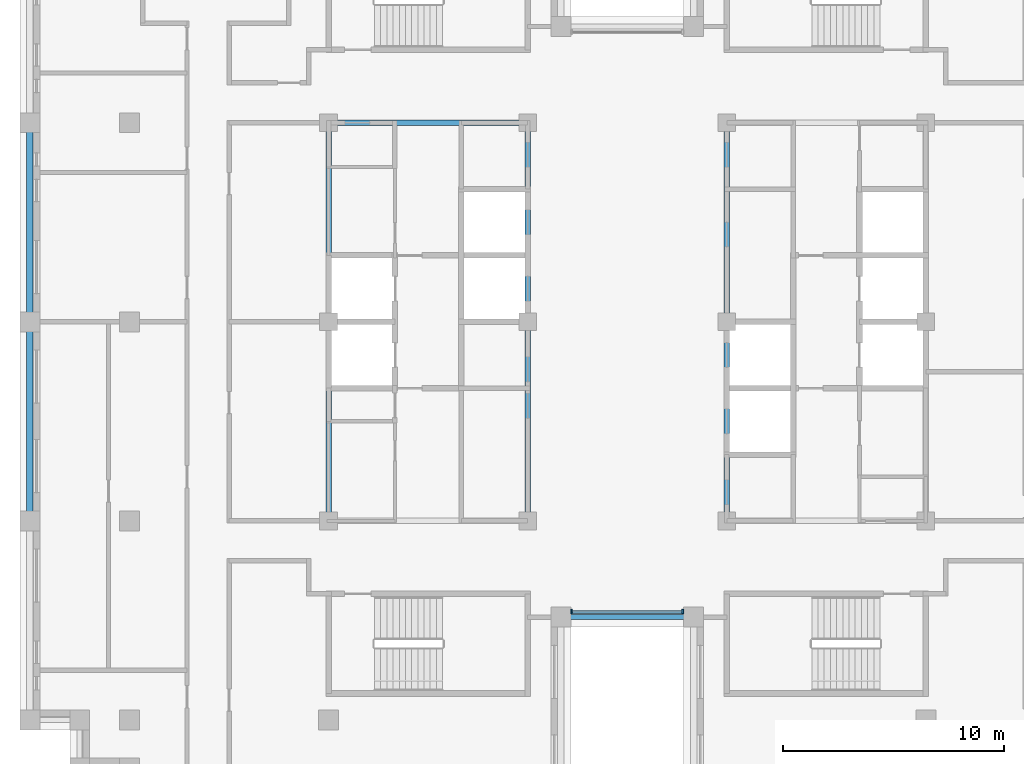
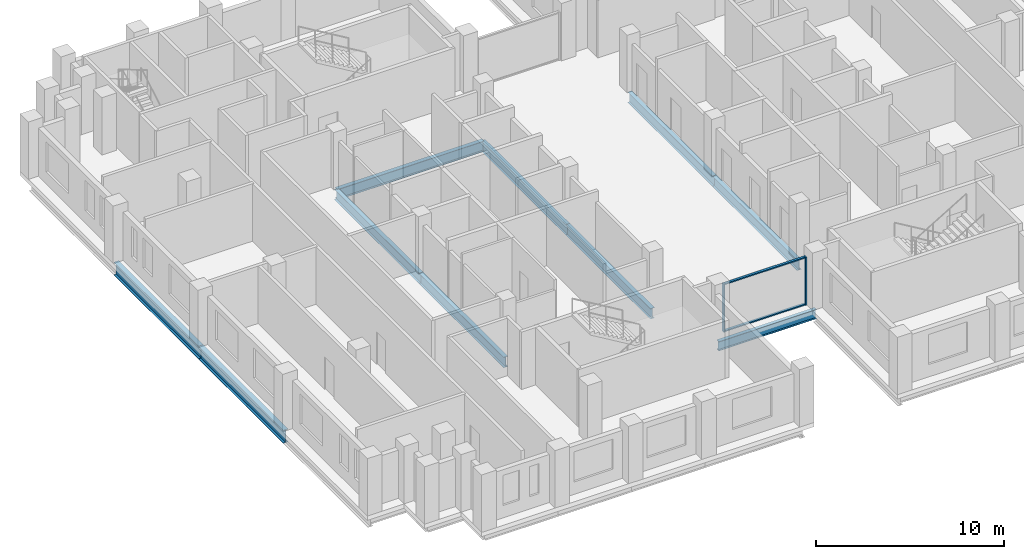
# One storey, part 2 of 13: 10 beams, 4 members, 1 element without a shape of its own.
"""IFC4 building model written with IfcOpenShell, lengths in metres."""

from ifc_helpers import new_model, si_unit, direction, frame, origin, origin_2d, place, context, subcontext, project, spatial, rectangle, i_section, extrude, material, layer, layer_set, material_profile, profile_set, type_object, element, aggregate, save


model = new_model("IFC4")

# Units and contexts
model_context = context("Model", 3, precision=1e-05, world=origin(), true_north=direction((0.0, 1.0)))
body_context = subcontext(model_context, "Body", "Model", "MODEL_VIEW")
ifc_project = project(units=[si_unit("LENGTHUNIT", "METRE"), si_unit("AREAUNIT", "SQUARE_METRE"), si_unit("VOLUMEUNIT", "CUBIC_METRE"), si_unit("PLANEANGLEUNIT", "RADIAN"), si_unit("MASSUNIT", "GRAM", prefix="KILO")], contexts=[model_context])

# Site, building, storey
site_placement = place(None, origin())
site = spatial("IfcSite", under=ifc_project, at=site_placement, CompositionType="ELEMENT")
building_placement = place(site_placement, origin())
building = spatial("IfcBuilding", under=site, at=building_placement, Name="Corbelhall Arena Tower", CompositionType="ELEMENT")
storey_placement = place(building_placement, frame((0.0, 0.0, 274.0)))
storey = spatial("IfcBuildingStorey", under=building, at=storey_placement, Name="L59", CompositionType="ELEMENT", Elevation=274.0)

# Curtain wall, members
ifc_material_1 = material(Name="Aluminium black anodised", Category="aluminium")
ifc_layer = layer(ifc_material_1, 0.199951171875)
ifc_layer_set = layer_set([ifc_layer], Name="EV-CW1 Slot back wall")
curtain_wall_type = type_object("IfcCurtainWallType", Name="EV-CW1 Slot back wall", PredefinedType="NOTDEFINED", material=ifc_layer_set)
curtain_wall_placement = place(storey_placement, origin())
curtain_wall = element("IfcCurtainWall", 1, at=curtain_wall_placement, inside=storey, type_object=curtain_wall_type, Name="Curtain wall CW1", PredefinedType="NOTDEFINED")
ifc_material_profile_1 = material_profile(ifc_material_1, rectangle(XDim=0.199951171875, YDim=0.074951171875, at=origin_2d()))
ifc_profile_set_1 = profile_set([ifc_material_profile_1], Name="Aluminium black anodised")
member_type_1 = type_object("IfcMemberType", Name="EV-CW1-MULLION", PredefinedType="MULLION", material=ifc_profile_set_1)
member_1_placement = place(storey_placement, frame((-2.512451171875, -13.10009765625, 0.0), z_axis=(0.0, 0.0, 1.0), x_axis=(0.0, 1.0, 0.0)))
member_1 = element("IfcMember", 2, at=member_1_placement, type_object=member_type_1, Name="CW1 mullion 1", PredefinedType="MULLION", context=body_context, shape_type="SweptSolid", body=[
    extrude(rectangle(XDim=0.199951171875, YDim=0.074951171875, at=origin_2d()), origin(), (0.0, 0.0, 1.0), 3.1201171875),
])
member_2_placement = place(storey_placement, frame((2.512451171875, -13.10009765625, 0.0), z_axis=(0.0, 0.0, 1.0), x_axis=(0.0, 1.0, 0.0)))
member_2 = element("IfcMember", 3, at=member_2_placement, type_object=member_type_1, Name="CW1 mullion 2", PredefinedType="MULLION", context=body_context, shape_type="SweptSolid", body=[
    extrude(rectangle(XDim=0.199951171875, YDim=0.074951171875, at=origin_2d()), origin(), (0.0, 0.0, 1.0), 3.1201171875),
])
ifc_material_profile_2 = material_profile(ifc_material_1, rectangle(XDim=0.14990234375, YDim=0.074951171875, at=origin_2d()))
ifc_profile_set_2 = profile_set([ifc_material_profile_2], Name="Aluminium black anodised")
member_type_2 = type_object("IfcMemberType", Name="EV-CW1-TRANSOM", PredefinedType="USERDEFINED", material=ifc_profile_set_2)
member_3_placement = place(storey_placement, frame((-2.47509765625, -13.10009765625, 0.03759765625), z_axis=(1.0, 0.0, 0.0), x_axis=(0.0, 1.0, 0.0)))
member_3 = element("IfcMember", 4, at=member_3_placement, type_object=member_type_2, Name="CW1 transom 1.1", ObjectType="transom", PredefinedType="USERDEFINED", context=body_context, shape_type="SweptSolid", body=[
    extrude(rectangle(XDim=0.14990234375, YDim=0.074951171875, at=origin_2d()), origin(), (0.0, 0.0, 1.0), 4.9501953125),
])
member_4_placement = place(storey_placement, frame((-2.47509765625, -13.10009765625, 3.08251953125), z_axis=(1.0, 0.0, 0.0), x_axis=(0.0, 1.0, 0.0)))
member_4 = element("IfcMember", 5, at=member_4_placement, type_object=member_type_2, Name="CW1 transom 1.2", ObjectType="transom", PredefinedType="USERDEFINED", context=body_context, shape_type="SweptSolid", body=[
    extrude(rectangle(XDim=0.14990234375, YDim=0.074951171875, at=origin_2d()), origin(), (0.0, 0.0, 1.0), 4.9501953125),
])
aggregate(curtain_wall, [member_1, member_2, member_3, member_4])

# Beams
ifc_material_2 = material(Name="Steel ASTM A992 Gr50", Category="steel")
ifc_material_profile_3 = material_profile(ifc_material_2, i_section(OverallWidth=0.25390625, OverallDepth=0.67822265625, WebThickness=0.01171875, FlangeThickness=0.016357421875, at=origin_2d()))
ifc_profile_set_3 = profile_set([ifc_material_profile_3], Name="Steel ASTM A992 Gr50")
beam_type_1 = type_object("IfcBeamType", Name="ST-BEAM-W27x84", PredefinedType="BEAM", material=ifc_profile_set_3)
for number, where, z_axis, x_axis, name in (
    (6, (-13.5, -9.0, -0.619140625), (0.0, 1.0, 0.0), (-1.0, 0.0, 0.0), "Beam CEW 1"),
    (7, (-13.5, 0.0, -0.619140625), (0.0, 1.0, 0.0), (-1.0, 0.0, 0.0), "Beam CEW 2"),
    (8, (-4.5, -9.0, -0.619140625), (0.0, 1.0, 0.0), (-1.0, 0.0, 0.0), "Beam CEW 3"),
    (9, (-4.5, 0.0, -0.619140625), (0.0, 1.0, 0.0), (-1.0, 0.0, 0.0), "Beam CEW 4"),
    (10, (-13.5, 9.0, -0.619140625), (1.0, 0.0, 0.0), (0.0, 1.0, 0.0), "Beam CEW 6"),
    (11, (4.5, -9.0, -0.619140625), (0.0, 1.0, 0.0), (-1.0, 0.0, 0.0), "Beam CEE 7"),
    (12, (4.5, 0.0, -0.619140625), (0.0, 1.0, 0.0), (-1.0, 0.0, 0.0), "Beam CEE 8"),
):
    element("IfcBeam", number, at=place(storey_placement, frame(where, z_axis=z_axis, x_axis=x_axis)), inside=storey, type_object=beam_type_1, Name=name, PredefinedType="BEAM", context=body_context, shape_type="SweptSolid", body=[
        extrude(i_section(OverallWidth=0.25390625, OverallDepth=0.67822265625, WebThickness=0.01171875, FlangeThickness=0.016357421875, at=origin_2d()), origin(), (0.0, 0.0, 1.0), 9.0),
    ])
ifc_material_profile_4 = material_profile(ifc_material_2, i_section(OverallWidth=0.227783203125, OverallDepth=0.60205078125, WebThickness=0.010498046875, FlangeThickness=0.014892578125, at=origin_2d()))
ifc_profile_set_4 = profile_set([ifc_material_profile_4], Name="Steel ASTM A992 Gr50")
beam_type_2 = type_object("IfcBeamType", Name="ST-SPANDREL-W24x68", PredefinedType="SPANDREL", material=ifc_profile_set_4)
beam_placement = place(storey_placement, frame((3.0, -13.35009765625, -0.5810546875), z_axis=(-1.0, 0.0, 0.0), x_axis=(0.0, -1.0, 0.0)))
element("IfcBeam", 13, at=beam_placement, inside=storey, type_object=beam_type_2, Name="Beam SP 33", PredefinedType="SPANDREL", context=body_context, shape_type="SweptSolid", body=[
    extrude(i_section(OverallWidth=0.227783203125, OverallDepth=0.60205078125, WebThickness=0.010498046875, FlangeThickness=0.014892578125, at=origin_2d()), origin(), (0.0, 0.0, 1.0), 6.0),
])
ifc_material_profile_5 = material_profile(ifc_material_2, i_section(OverallWidth=0.2919921875, OverallDepth=0.845703125, WebThickness=0.015380859375, FlangeThickness=0.0244140625, at=origin_2d()))
ifc_profile_set_5 = profile_set([ifc_material_profile_5], Name="Steel ASTM A992 Gr50")
beam_type_3 = type_object("IfcBeamType", Name="ST-SPANDREL-W33x141", PredefinedType="SPANDREL", material=ifc_profile_set_5)
for number, where, z_axis, x_axis, name in (
    (14, (-27.0, 0.0, -0.702880859375), (0.0, 1.0, 0.0), (-1.0, 0.0, 0.0), "Beam SP 26"),
    (15, (-27.0, -9.0, -0.702880859375), (0.0, 1.0, 0.0), (-1.0, 0.0, 0.0), "Beam SP 29"),
):
    element("IfcBeam", number, at=place(storey_placement, frame(where, z_axis=z_axis, x_axis=x_axis)), inside=storey, type_object=beam_type_3, Name=name, PredefinedType="SPANDREL", context=body_context, shape_type="SweptSolid", body=[
        extrude(i_section(OverallWidth=0.2919921875, OverallDepth=0.845703125, WebThickness=0.015380859375, FlangeThickness=0.0244140625, at=origin_2d()), origin(), (0.0, 0.0, 1.0), 9.0),
    ])

save(model, "model.ifc")
